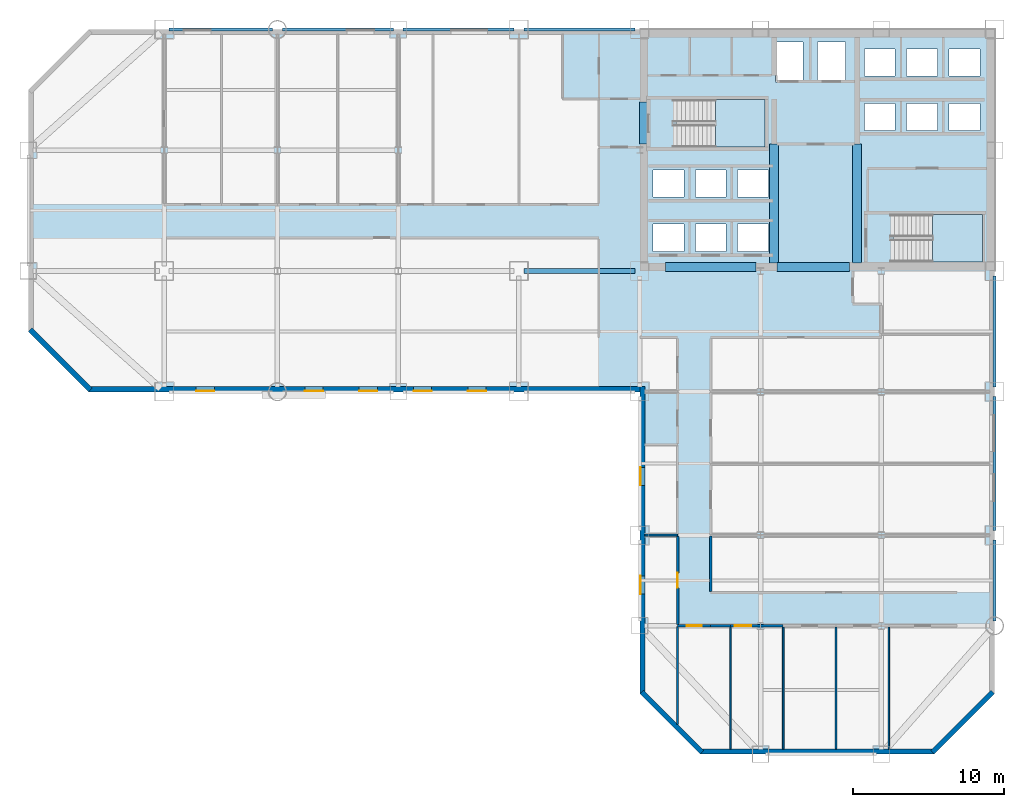
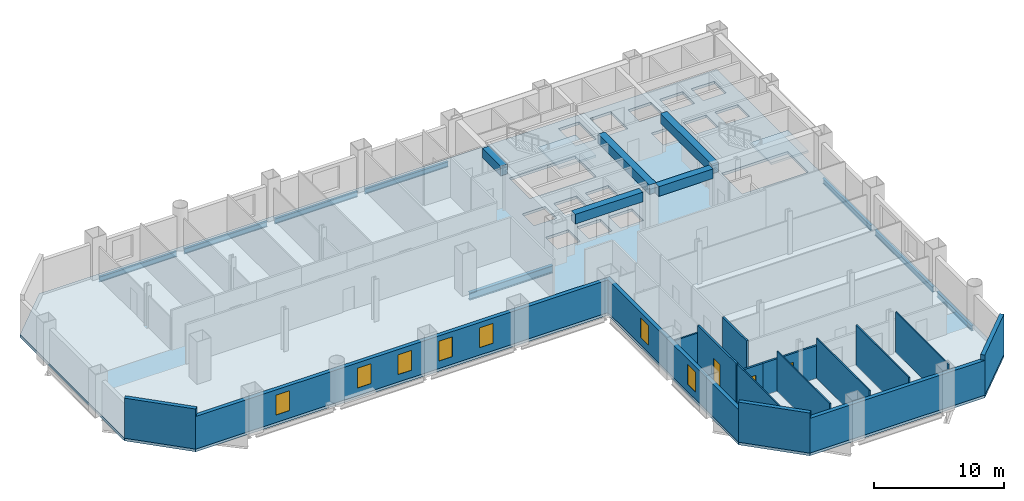
# One storey, part 4 of 9: 17 walls, 13 beams, 7 windows, 3 doors, 3 slabs, 10 openings, 2 elements without a shape of their own.
"""IFC4 building model written with IfcOpenShell, lengths in metres."""

from ifc_helpers import new_model, si_unit, direction, frame, frame_2d, origin, origin_2d, place, context, subcontext, project, spatial, polyline, rectangle, i_section, outline, extrude, material, layer, layer_set, material_profile, profile_set, type_object, element, fill, aggregate, save


model = new_model("IFC4")

# Units and contexts
model_context = context("Model", 3, precision=1e-05, world=origin(), true_north=direction((0.0, 1.0)))
body_context = subcontext(model_context, "Body", "Model", "MODEL_VIEW")
ifc_project = project(units=[si_unit("LENGTHUNIT", "METRE"), si_unit("AREAUNIT", "SQUARE_METRE"), si_unit("VOLUMEUNIT", "CUBIC_METRE"), si_unit("PLANEANGLEUNIT", "RADIAN"), si_unit("MASSUNIT", "GRAM", prefix="KILO")], contexts=[model_context])

# Site, building, storey
site_placement = place(None, origin())
site = spatial("IfcSite", under=ifc_project, at=site_placement, CompositionType="ELEMENT")
building_placement = place(site_placement, origin())
building = spatial("IfcBuilding", under=site, at=building_placement, Name="Qianrong Seaharbour Tower", CompositionType="ELEMENT")
storey_placement = place(building_placement, frame((0.0, 0.0, 40.199951171875)))
storey = spatial("IfcBuildingStorey", under=building, at=storey_placement, Name="L09", CompositionType="ELEMENT", Elevation=40.199951171875)

# Beams
ifc_material_1 = material(Name="Structural steel SN490B", Category="steel")
ifc_material_profile_1 = material_profile(ifc_material_1, i_section(OverallWidth=0.300048828125, OverallDepth=0.699951171875, WebThickness=0.012939453125, FlangeThickness=0.02392578125, FilletRadius=0.02587890625, at=origin_2d()), Name="H700x300x13x24")
ifc_profile_set_1 = profile_set([ifc_material_profile_1], Name="Structural steel SN490B")
beam_type_1 = type_object("IfcBeamType", Name="BM-G-700", PredefinedType="BEAM", material=ifc_profile_set_1)
beam_1_placement = place(storey_placement, frame((32.820068359375, 36.0, -0.599853515625), z_axis=(1.0, 0.0, 0.0), x_axis=(0.0, 1.0, 0.0)))
element("IfcBeam", 1, at=beam_1_placement, inside=storey, type_object=beam_type_1, Name="L09 Primary Girder GF G5-G6", PredefinedType="BEAM", context=body_context, shape_type="SweptSolid", body=[
    extrude(i_section(OverallWidth=0.300048828125, OverallDepth=0.699951171875, WebThickness=0.012939453125, FlangeThickness=0.02392578125, FilletRadius=0.02587890625, at=origin_2d()), origin(), (0.0, 0.0, 1.0), 7.35986328125),
])
ifc_material_2 = material(Name="Concrete C70/85", Category="concrete")
ifc_material_profile_2 = material_profile(ifc_material_2, rectangle(XDim=0.60009765625, YDim=0.89990234375, at=origin_2d()), Name="RC600x900")
ifc_profile_set_2 = profile_set([ifc_material_profile_2], Name="Concrete C70/85")
beam_type_2 = type_object("IfcBeamType", Name="BM-LINTEL-900", PredefinedType="LINTEL", material=ifc_profile_set_2)
beam_2_placement = place(storey_placement, frame((40.77001953125, 44.39990234375, 3.300048828125), z_axis=(0.0, 1.0, 0.0), x_axis=(-1.0, 0.0, 0.0)))
element("IfcBeam", 2, at=beam_2_placement, inside=storey, type_object=beam_type_2, Name="L09 Core Coupling Lintel Beam West", PredefinedType="LINTEL", context=body_context, shape_type="SweptSolid", body=[
    extrude(rectangle(XDim=0.60009765625, YDim=0.89990234375, at=origin_2d()), origin(), (0.0, 0.0, 1.0), 2.800048828125),
])
beam_3_placement = place(storey_placement, frame((42.199951171875, 36.27001953125, 3.300048828125), z_axis=(1.0, 0.0, 0.0), x_axis=(0.0, 1.0, 0.0)))
element("IfcBeam", 3, at=beam_3_placement, inside=storey, type_object=beam_type_2, Name="L09 Core Coupling Lintel Beam CBW", PredefinedType="LINTEL", context=body_context, shape_type="SweptSolid", body=[
    extrude(rectangle(XDim=0.60009765625, YDim=0.89990234375, at=origin_2d()), origin(), (0.0, 0.0, 1.0), 6.0),
])
beam_4_placement = place(storey_placement, frame((49.60009765625, 36.27001953125, 3.300048828125), z_axis=(1.0, 0.0, 0.0), x_axis=(0.0, 1.0, 0.0)))
element("IfcBeam", 4, at=beam_4_placement, inside=storey, type_object=beam_type_2, Name="L09 Core Coupling Lintel Beam CBC", PredefinedType="LINTEL", context=body_context, shape_type="SweptSolid", body=[
    extrude(rectangle(XDim=0.60009765625, YDim=0.89990234375, at=origin_2d()), origin(), (0.0, 0.0, 1.0), 4.7998046875),
])
for number, where, z_axis, x_axis, name in (
    (5, (49.39990234375, 36.5400390625, 3.300048828125), (0.0, 1.0, 0.0), (-1.0, 0.0, 0.0), "L09 Internal Core Coupling Beam IW1"),
    (6, (54.89990234375, 36.5400390625, 3.300048828125), (0.0, 1.0, 0.0), (-1.0, 0.0, 0.0), "L09 Internal Core Coupling Beam IW2"),
):
    element("IfcBeam", number, at=place(storey_placement, frame(where, z_axis=z_axis, x_axis=x_axis)), inside=storey, type_object=beam_type_2, Name=name, PredefinedType="LINTEL", context=body_context, shape_type="SweptSolid", body=[
        extrude(rectangle(XDim=0.60009765625, YDim=0.89990234375, at=origin_2d()), origin(), (0.0, 0.0, 1.0), 7.85986328125),
    ])
ifc_material_profile_3 = material_profile(ifc_material_1, i_section(OverallWidth=0.199951171875, OverallDepth=0.5, WebThickness=0.010009765625, FlangeThickness=0.01611328125, FilletRadius=0.02001953125, at=origin_2d()), Name="H500x200x10x16")
ifc_profile_set_3 = profile_set([ifc_material_profile_3], Name="Structural steel SN490B")
beam_type_3 = type_object("IfcBeamType", Name="BM-SP-500", PredefinedType="SPANDREL", material=ifc_profile_set_3)
beam_5_placement = place(storey_placement, frame((9.320068359375, 52.0, -0.5), z_axis=(1.0, 0.0, 0.0), x_axis=(0.0, 1.0, 0.0)))
element("IfcBeam", 7, at=beam_5_placement, inside=storey, type_object=beam_type_3, Name="L09 Spandrel Girder GH G2-G3", PredefinedType="SPANDREL", context=body_context, shape_type="SweptSolid", body=[
    extrude(i_section(OverallWidth=0.199951171875, OverallDepth=0.5, WebThickness=0.010009765625, FlangeThickness=0.01611328125, FilletRadius=0.02001953125, at=origin_2d()), origin(), (0.0, 0.0, 1.0), 6.85986328125),
])
for number, where, z_axis, x_axis, name in (
    (8, (16.820068359375, 52.0, -0.5), (1.0, 0.0, 0.0), (0.0, 1.0, 0.0), "L09 Spandrel Girder GH G3-G4"),
    (9, (24.820068359375, 52.0, -0.5), (1.0, 0.0, 0.0), (0.0, 1.0, 0.0), "L09 Spandrel Girder GH G4-G5"),
    (10, (32.820068359375, 52.0, -0.5), (1.0, 0.0, 0.0), (0.0, 1.0, 0.0), "L09 Spandrel Girder GH G5-G6"),
):
    element("IfcBeam", number, at=place(storey_placement, frame(where, z_axis=z_axis, x_axis=x_axis)), inside=storey, type_object=beam_type_3, Name=name, PredefinedType="SPANDREL", context=body_context, shape_type="SweptSolid", body=[
        extrude(i_section(OverallWidth=0.199951171875, OverallDepth=0.5, WebThickness=0.010009765625, FlangeThickness=0.01611328125, FilletRadius=0.02001953125, at=origin_2d()), origin(), (0.0, 0.0, 1.0), 7.35986328125),
    ])
beam_6_placement = place(storey_placement, frame((64.0, 12.820068359375, -0.5), z_axis=(0.0, 1.0, 0.0), x_axis=(-1.0, 0.0, 0.0)))
element("IfcBeam", 11, at=beam_6_placement, inside=storey, type_object=beam_type_3, Name="L09 Spandrel Girder G9 GC-GD", PredefinedType="SPANDREL", context=body_context, shape_type="SweptSolid", body=[
    extrude(i_section(OverallWidth=0.199951171875, OverallDepth=0.5, WebThickness=0.010009765625, FlangeThickness=0.01611328125, FilletRadius=0.02001953125, at=origin_2d()), origin(), (0.0, 0.0, 1.0), 5.35986328125),
])
beam_7_placement = place(storey_placement, frame((64.0, 18.820068359375, -0.5), z_axis=(0.0, 1.0, 0.0), x_axis=(-1.0, 0.0, 0.0)))
element("IfcBeam", 12, at=beam_7_placement, inside=storey, type_object=beam_type_3, Name="L09 Spandrel Girder G9 GD-GE", PredefinedType="SPANDREL", context=body_context, shape_type="SweptSolid", body=[
    extrude(i_section(OverallWidth=0.199951171875, OverallDepth=0.5, WebThickness=0.010009765625, FlangeThickness=0.01611328125, FilletRadius=0.02001953125, at=origin_2d()), origin(), (0.0, 0.0, 1.0), 8.85986328125),
])
beam_8_placement = place(storey_placement, frame((64.0, 28.320068359375, -0.5), z_axis=(0.0, 1.0, 0.0), x_axis=(-1.0, 0.0, 0.0)))
element("IfcBeam", 13, at=beam_8_placement, inside=storey, type_object=beam_type_3, Name="L09 Spandrel Girder G9 GE-GF", PredefinedType="SPANDREL", context=body_context, shape_type="SweptSolid", body=[
    extrude(i_section(OverallWidth=0.199951171875, OverallDepth=0.5, WebThickness=0.010009765625, FlangeThickness=0.01611328125, FilletRadius=0.02001953125, at=origin_2d()), origin(), (0.0, 0.0, 1.0), 7.35986328125),
])

# Stair, slab
ifc_material_3 = material(Name="Concrete C50/60", Category="concrete")
stair_type = type_object("IfcStairType", Name="STAIR-DOGLEG-1500-R22", PredefinedType="HALF_TURN_STAIR", material=ifc_material_3)
stair_1_placement = place(storey_placement, origin())
stair_1 = element("IfcStair", 14, at=stair_1_placement, inside=storey, type_object=stair_type, Name="L09 Protected Escape Stair ST-1", PredefinedType="HALF_TURN_STAIR")
ifc_layer_1 = layer(ifc_material_3, 0.199951171875)
ifc_layer_set_1 = layer_set([ifc_layer_1], Name="Concrete C50/60")
slab_type_1 = type_object("IfcSlabType", Name="SLAB-STAIR-LANDING-200", PredefinedType="LANDING", material=ifc_layer_set_1)
slab_1_placement = place(storey_placement, frame((0.0, 0.0, 1.800048828125)))
slab_1 = element("IfcSlab", 15, at=slab_1_placement, type_object=slab_type_1, Name="ST-1 landing 1", PredefinedType="LANDING", context=body_context, shape_type="SweptSolid", body=[
    extrude(outline(polyline([(45.5, 44.199951171875), (48.800048828125, 44.199951171875), (48.800048828125, 47.35009765625), (45.5, 47.35009765625), (45.5, 44.199951171875)])), origin(), (0.0, 0.0, 1.0), 0.199951171875),
])
aggregate(stair_1, [slab_1])

stair_2_placement = place(storey_placement, origin())
stair_2 = element("IfcStair", 16, at=stair_2_placement, inside=storey, type_object=stair_type, Name="L09 Protected Escape Stair ST-2", PredefinedType="HALF_TURN_STAIR")
slab_2_placement = place(storey_placement, frame((0.0, 0.0, 1.800048828125)))
slab_2 = element("IfcSlab", 17, at=slab_2_placement, type_object=slab_type_1, Name="ST-2 landing 1", PredefinedType="LANDING", context=body_context, shape_type="SweptSolid", body=[
    extrude(outline(polyline([(59.89990234375, 36.60009765625), (63.199951171875, 36.60009765625), (63.199951171875, 39.75), (59.89990234375, 39.75), (59.89990234375, 36.60009765625)])), origin(), (0.0, 0.0, 1.0), 0.199951171875),
])
aggregate(stair_2, [slab_2])

# Slab
ifc_layer_2 = layer(ifc_material_3, 0.25)
ifc_layer_set_2 = layer_set([ifc_layer_2], Name="Concrete C50/60")
slab_type_2 = type_object("IfcSlabType", Name="SLAB-Z1-250", PredefinedType="FLOOR", material=ifc_layer_set_2)
slab_3_placement = place(storey_placement, frame((0.0, 0.0, -0.25)))
element("IfcSlab", 18, at=slab_3_placement, inside=storey, type_object=slab_type_2, Name="L09 Structural Floor Slab", PredefinedType="FLOOR", context=body_context, shape_type="SweptSolid", body=[
    extrude(outline(polyline([(44.5, 4.0), (60.0, 4.0), (64.0, 8.0), (64.0, 52.0), (4.0, 52.0), (0.0, 48.0), (0.0, 32.0), (4.0, 28.0), (40.5, 28.0), (40.5, 8.0), (44.5, 4.0)]), holes=[polyline([(42.93994140625, 44.199951171875), (42.93994140625, 47.35009765625), (48.800048828125, 47.35009765625), (48.800048828125, 44.199951171875), (42.93994140625, 44.199951171875)]), polyline([(57.340087890625, 36.60009765625), (57.340087890625, 39.75), (63.199951171875, 39.75), (63.199951171875, 36.60009765625), (57.340087890625, 36.60009765625)]), polyline([(49.47998046875, 48.530029296875), (49.47998046875, 51.169921875), (51.320068359375, 51.169921875), (51.320068359375, 48.530029296875), (49.47998046875, 48.530029296875)]), polyline([(52.280029296875, 48.530029296875), (52.280029296875, 51.169921875), (54.1201171875, 51.169921875), (54.1201171875, 48.530029296875), (52.280029296875, 48.530029296875)]), polyline([(41.3798828125, 37.300048828125), (41.3798828125, 39.10009765625), (43.419921875, 39.10009765625), (43.419921875, 37.300048828125), (41.3798828125, 37.300048828125)]), polyline([(44.179931640625, 37.300048828125), (44.179931640625, 39.10009765625), (46.219970703125, 39.10009765625), (46.219970703125, 37.300048828125), (44.179931640625, 37.300048828125)]), polyline([(46.97998046875, 37.300048828125), (46.97998046875, 39.10009765625), (49.02001953125, 39.10009765625), (49.02001953125, 37.300048828125), (46.97998046875, 37.300048828125)]), polyline([(41.3798828125, 40.89990234375), (41.3798828125, 42.699951171875), (43.419921875, 42.699951171875), (43.419921875, 40.89990234375), (41.3798828125, 40.89990234375)]), polyline([(44.179931640625, 40.89990234375), (44.179931640625, 42.699951171875), (46.219970703125, 42.699951171875), (46.219970703125, 40.89990234375), (44.179931640625, 40.89990234375)]), polyline([(46.97998046875, 40.89990234375), (46.97998046875, 42.699951171875), (49.02001953125, 42.699951171875), (49.02001953125, 40.89990234375), (46.97998046875, 40.89990234375)]), polyline([(55.3798828125, 45.300048828125), (55.3798828125, 47.10009765625), (57.419921875, 47.10009765625), (57.419921875, 45.300048828125), (55.3798828125, 45.300048828125)]), polyline([(58.179931640625, 45.300048828125), (58.179931640625, 47.10009765625), (60.219970703125, 47.10009765625), (60.219970703125, 45.300048828125), (58.179931640625, 45.300048828125)]), polyline([(60.97998046875, 45.300048828125), (60.97998046875, 47.10009765625), (63.02001953125, 47.10009765625), (63.02001953125, 45.300048828125), (60.97998046875, 45.300048828125)]), polyline([(55.3798828125, 48.89990234375), (55.3798828125, 50.699951171875), (57.419921875, 50.699951171875), (57.419921875, 48.89990234375), (55.3798828125, 48.89990234375)]), polyline([(58.179931640625, 48.89990234375), (58.179931640625, 50.699951171875), (60.219970703125, 50.699951171875), (60.219970703125, 48.89990234375), (58.179931640625, 48.89990234375)]), polyline([(60.97998046875, 48.89990234375), (60.97998046875, 50.699951171875), (63.02001953125, 50.699951171875), (63.02001953125, 48.89990234375), (60.97998046875, 48.89990234375)])]), origin(), (0.0, 0.0, 1.0), 0.25),
])

# Wall
ifc_material_4 = material(Name="Fire-rated acoustic gypsum board partition")
ifc_layer_3 = layer(ifc_material_4, 0.1650390625)
ifc_layer_set_3 = layer_set([ifc_layer_3], Name="Fire-rated acoustic gypsum board partition")
wall_type_1 = type_object("IfcWallType", Name="WALL-CORR-PART-165", PredefinedType="PARTITIONING", material=ifc_layer_set_3)
wall_1_placement = place(storey_placement, frame((45.199951171875, 18.452880859375, 0.0), z_axis=(0.0, 0.0, 1.0), x_axis=(0.0, -1.0, 0.0)))
element("IfcWall", 19, at=wall_1_placement, inside=storey, type_object=wall_type_1, Name="L09 Interior Partition Wall 030", PredefinedType="PARTITIONING", context=body_context, shape_type="SweptSolid", body=[
    extrude(rectangle(XDim=3.678466796875, YDim=0.1650390625, at=frame_2d((1.83935546875, 0.0))), origin(), (0.0, 0.0, 1.0), 3.75),
])

# Wall, opening, door
wall_2_placement = place(storey_placement, frame((43.0, 12.574462890625, 0.0), z_axis=(0.0, 0.0, 1.0), x_axis=(0.0, 1.0, 0.0)))
wall_2 = element("IfcWall", 20, at=wall_2_placement, inside=storey, type_object=wall_type_1, Name="L09 Interior Partition Wall 034", PredefinedType="PARTITIONING", context=body_context, shape_type="SweptSolid", body=[
    extrude(rectangle(XDim=5.86865234375, YDim=0.1650390625, at=frame_2d((2.934326171875, 0.0))), origin(), (0.0, 0.0, 1.0), 3.75),
])
opening_1_placement = place(wall_2_placement, frame((2.434326171875, 0.0, 0.0)))
opening_1 = element("IfcOpeningElement", 21, at=opening_1_placement, cuts=wall_2, Name="Opening DO-01", PredefinedType="OPENING", context=body_context, shape_type="SweptSolid", body=[
    extrude(rectangle(XDim=1.0, YDim=2.14990234375, at=frame_2d((0.5, 1.074951171875))), frame((0.0, 0.092529296875, 0.0), z_axis=(0.0, -1.0, 0.0), x_axis=(1.0, 0.0, 0.0)), (0.0, 0.0, 1.0), 0.18505859375),
])
ifc_material_5 = material(Name="Acoustic timber and galvanized steel fire door assembly", Category="steel")
door_type_1 = type_object("IfcDoorType", Name="DOOR-OFFICE-1000x2150", OperationType="NOTDEFINED", PredefinedType="DOOR", material=ifc_material_5)
door_1_placement = place(opening_1_placement, origin())
door_1 = element("IfcDoor", 22, at=door_1_placement, inside=storey, type_object=door_type_1, Name="L09 Executive Office 1 Door", OperationType="SINGLE_SWING_LEFT", OverallHeight=2.14990234375, OverallWidth=1.0, PredefinedType="DOOR", context=body_context, shape_type="SweptSolid", body=[
    extrude(rectangle(XDim=1.0, YDim=2.14990234375, at=frame_2d((0.5, 1.074951171875))), frame((0.0, 0.02490234375, 0.0), z_axis=(0.0, -1.0, 0.0), x_axis=(1.0, 0.0, 0.0)), (0.0, 0.0, 1.0), 0.050048828125),
])
fill(opening_1, door_1)

wall_3_placement = place(storey_placement, frame((45.199951171875, 12.5, 0.0), z_axis=(0.0, 0.0, 1.0), x_axis=(-1.0, 0.0, 0.0)))
wall_3 = element("IfcWall", 23, at=wall_3_placement, inside=storey, type_object=wall_type_1, Name="L09 Interior Partition Wall 038", PredefinedType="PARTITIONING", context=body_context, shape_type="SweptSolid", body=[
    extrude(rectangle(XDim=2.199951171875, YDim=0.1650390625, at=frame_2d((1.10009765625, 0.0))), origin(), (0.0, 0.0, 1.0), 3.0419921875),
])
opening_2_placement = place(wall_3_placement, frame((0.60009765625, 0.0, 0.0)))
opening_2 = element("IfcOpeningElement", 24, at=opening_2_placement, cuts=wall_3, Name="Opening DO-01", PredefinedType="OPENING", context=body_context, shape_type="SweptSolid", body=[
    extrude(rectangle(XDim=1.0, YDim=2.14990234375, at=frame_2d((0.5, 1.074951171875))), frame((0.0, 0.092529296875, 0.0), z_axis=(0.0, -1.0, 0.0), x_axis=(1.0, 0.0, 0.0)), (0.0, 0.0, 1.0), 0.18505859375),
])
door_2_placement = place(opening_2_placement, origin())
door_2 = element("IfcDoor", 25, at=door_2_placement, inside=storey, type_object=door_type_1, Name="L09 Executive Office 1 Door", OperationType="SINGLE_SWING_LEFT", OverallHeight=2.14990234375, OverallWidth=1.0, PredefinedType="DOOR", context=body_context, shape_type="SweptSolid", body=[
    extrude(rectangle(XDim=1.0, YDim=2.14990234375, at=frame_2d((0.5, 1.074951171875))), frame((0.0, 0.02490234375, 0.0), z_axis=(0.0, -1.0, 0.0), x_axis=(1.0, 0.0, 0.0)), (0.0, 0.0, 1.0), 0.050048828125),
])
fill(opening_2, door_2)

# Wall
wall_4_placement = place(storey_placement, frame((46.5, 12.5, 0.0), z_axis=(0.0, 0.0, 1.0), x_axis=(-1.0, 0.0, 0.0)))
element("IfcWall", 26, at=wall_4_placement, inside=storey, type_object=wall_type_1, Name="L09 Interior Partition Wall 040", PredefinedType="PARTITIONING", context=body_context, shape_type="SweptSolid", body=[
    extrude(rectangle(XDim=1.300048828125, YDim=0.1650390625, at=frame_2d((0.64990234375, 0.0))), origin(), (0.0, 0.0, 1.0), 3.0419921875),
])

# Wall, opening, door
wall_5_placement = place(storey_placement, frame((50.0, 12.5, 0.0), z_axis=(0.0, 0.0, 1.0), x_axis=(-1.0, 0.0, 0.0)))
wall_5 = element("IfcWall", 27, at=wall_5_placement, inside=storey, type_object=wall_type_1, Name="L09 Interior Partition Wall 041", PredefinedType="PARTITIONING", context=body_context, shape_type="SweptSolid", body=[
    extrude(rectangle(XDim=3.5, YDim=0.1650390625, at=frame_2d((1.75, 0.0))), origin(), (0.0, 0.0, 1.0), 3.0419921875),
])
opening_3_placement = place(wall_5_placement, frame((2.10009765625, 0.0, 0.0)))
opening_3 = element("IfcOpeningElement", 28, at=opening_3_placement, cuts=wall_5, Name="Opening DM-01", PredefinedType="OPENING", context=body_context, shape_type="SweptSolid", body=[
    extrude(rectangle(XDim=1.10009765625, YDim=2.199951171875, at=frame_2d((0.550048828125, 1.10009765625))), frame((0.0, 0.092529296875, 0.0), z_axis=(0.0, -1.0, 0.0), x_axis=(1.0, 0.0, 0.0)), (0.0, 0.0, 1.0), 0.18505859375),
])
door_type_2 = type_object("IfcDoorType", Name="DOOR-MEET-1100x2200", OperationType="NOTDEFINED", PredefinedType="DOOR", material=ifc_material_5)
door_3_placement = place(opening_3_placement, origin())
door_3 = element("IfcDoor", 29, at=door_3_placement, inside=storey, type_object=door_type_2, Name="L09 Meeting Room 2 Door", OperationType="SINGLE_SWING_RIGHT", OverallHeight=2.199951171875, OverallWidth=1.10009765625, PredefinedType="DOOR", context=body_context, shape_type="SweptSolid", body=[
    extrude(rectangle(XDim=1.10009765625, YDim=2.199951171875, at=frame_2d((0.550048828125, 1.10009765625))), frame((0.0, 0.02490234375, 0.0), z_axis=(0.0, -1.0, 0.0), x_axis=(1.0, 0.0, 0.0)), (0.0, 0.0, 1.0), 0.050048828125),
])
fill(opening_3, door_3)

# Walls
ifc_material_6 = material(Name="Demountable aluminium-framed acoustic office partition", Category="aluminium")
ifc_layer_4 = layer(ifc_material_6, 0.110107421875)
ifc_layer_set_4 = layer_set([ifc_layer_4], Name="Demountable aluminium-framed acoustic office partition")
wall_type_2 = type_object("IfcWallType", Name="WALL-DEMOUNT-110", PredefinedType="MOVABLE", material=ifc_layer_set_4)
wall_6_placement = place(storey_placement, frame((43.0, 12.425537109375, 0.0), z_axis=(0.0, 0.0, 1.0), x_axis=(0.0, -1.0, 0.0)))
element("IfcWall", 30, at=wall_6_placement, inside=storey, type_object=wall_type_2, Name="L09 Interior Partition Wall 057", PredefinedType="MOVABLE", context=body_context, shape_type="SweptSolid", body=[
    extrude(rectangle(XDim=6.4560546875, YDim=0.110107421875, at=frame_2d((3.22802734375, 0.0))), origin(), (0.0, 0.0, 1.0), 3.75),
])
for number, where, z_axis, x_axis, name in (
    (31, (46.5, 12.425537109375, 0.0), (0.0, 0.0, 1.0), (0.0, -1.0, 0.0), "L09 Interior Partition Wall 060"),
    (32, (50.0, 12.425537109375, 0.0), (0.0, 0.0, 1.0), (0.0, -1.0, 0.0), "L09 Interior Partition Wall 061"),
    (33, (53.5, 12.425537109375, 0.0), (0.0, 0.0, 1.0), (0.0, -1.0, 0.0), "L09 Interior Partition Wall 062"),
    (34, (57.0, 12.425537109375, 0.0), (0.0, 0.0, 1.0), (0.0, -1.0, 0.0), "L09 Interior Partition Wall 063"),
):
    element("IfcWall", number, at=place(storey_placement, frame(where, z_axis=z_axis, x_axis=x_axis)), inside=storey, type_object=wall_type_2, Name=name, PredefinedType="MOVABLE", context=body_context, shape_type="SweptSolid", body=[
        extrude(rectangle(XDim=8.093505859375, YDim=0.110107421875, at=frame_2d((4.046875, 0.0))), origin(), (0.0, 0.0, 1.0), 3.75),
    ])

# Wall, openings, windows
ifc_material_7 = material(Name="Unitised buff brick on Precast concrete C45/55", Category="masonry")
ifc_layer_5 = layer(ifc_material_7, 0.340087890625)
ifc_layer_set_5 = layer_set([ifc_layer_5], Name="Unitised buff brick on Precast concrete C45/55")
wall_type_3 = type_object("IfcWallType", Name="WALL-EXT-BRICK-BUFF-340", PredefinedType="SOLIDWALL", material=ifc_layer_set_5)
wall_7_placement = place(storey_placement, frame((40.669921875, 8.0, 0.0), z_axis=(0.0, 0.0, 1.0), x_axis=(0.0, 1.0, 0.0)))
wall_7 = element("IfcWall", 35, at=wall_7_placement, inside=storey, type_object=wall_type_3, Name="L09 Exterior Masonry Facade Wall REENTRANT_WEST", PredefinedType="SOLIDWALL", context=body_context, shape_type="SweptSolid", body=[
    extrude(rectangle(XDim=20.340087890625, YDim=0.340087890625, at=frame_2d((10.169921875, 0.0))), origin(), (0.0, 0.0, 1.0), 3.050048828125),
])
opening_4_placement = place(wall_7_placement, frame((6.60009765625, 0.0, 0.699951171875)))
opening_4 = element("IfcOpeningElement", 36, at=opening_4_placement, cuts=wall_7, Name="Opening WN-01", PredefinedType="OPENING", context=body_context, shape_type="SweptSolid", body=[
    extrude(rectangle(XDim=1.199951171875, YDim=1.85009765625, at=frame_2d((0.60009765625, 0.925048828125))), frame((0.0, 0.18017578125, 0.0), z_axis=(0.0, -1.0, 0.0), x_axis=(1.0, 0.0, 0.0)), (0.0, 0.0, 1.0), 0.360107421875),
])
opening_5_placement = place(wall_7_placement, frame((13.800048828125, 0.0, 0.699951171875)))
opening_5 = element("IfcOpeningElement", 37, at=opening_5_placement, cuts=wall_7, Name="Opening WN-01", PredefinedType="OPENING", context=body_context, shape_type="SweptSolid", body=[
    extrude(rectangle(XDim=1.199951171875, YDim=1.85009765625, at=frame_2d((0.60009765625, 0.925048828125))), frame((0.0, 0.18017578125, 0.0), z_axis=(0.0, -1.0, 0.0), x_axis=(1.0, 0.0, 0.0)), (0.0, 0.0, 1.0), 0.360107421875),
])
ifc_material_8 = material(Name="Insulated low-e double glazing in thermally broken aluminium 6063-T6 frame", Category="aluminium")
window_type = type_object("IfcWindowType", Name="WIN-PUNCH-1200x1850", PartitioningType="DOUBLE_PANEL_VERTICAL", PredefinedType="WINDOW", material=ifc_material_8)
window_1_placement = place(opening_4_placement, origin())
window_1 = element("IfcWindow", 38, at=window_1_placement, inside=storey, type_object=window_type, Name="L09 Deep-Set Punched Window 00.02", OverallHeight=1.85009765625, OverallWidth=1.199951171875, PartitioningType="DOUBLE_PANEL_VERTICAL", PredefinedType="WINDOW", context=body_context, shape_type="SweptSolid", body=[
    extrude(rectangle(XDim=1.199951171875, YDim=1.85009765625, at=frame_2d((0.60009765625, 0.925048828125))), frame((0.0, 0.150146484375, 0.0), z_axis=(0.0, -1.0, 0.0), x_axis=(1.0, 0.0, 0.0)), (0.0, 0.0, 1.0), 0.06005859375),
])
fill(opening_4, window_1)
window_2_placement = place(opening_5_placement, origin())
window_2 = element("IfcWindow", 39, at=window_2_placement, inside=storey, type_object=window_type, Name="L09 Deep-Set Punched Window 00.04", OverallHeight=1.85009765625, OverallWidth=1.199951171875, PartitioningType="DOUBLE_PANEL_VERTICAL", PredefinedType="WINDOW", context=body_context, shape_type="SweptSolid", body=[
    extrude(rectangle(XDim=1.199951171875, YDim=1.85009765625, at=frame_2d((0.60009765625, 0.925048828125))), frame((0.0, 0.150146484375, 0.0), z_axis=(0.0, -1.0, 0.0), x_axis=(1.0, 0.0, 0.0)), (0.0, 0.0, 1.0), 0.06005859375),
])
fill(opening_5, window_2)

wall_8_placement = place(storey_placement, frame((40.52001953125, 28.169921875, 0.0), z_axis=(0.0, 0.0, 1.0), x_axis=(-1.0, 0.0, 0.0)))
wall_8 = element("IfcWall", 40, at=wall_8_placement, inside=storey, type_object=wall_type_3, Name="L09 Exterior Masonry Facade Wall HARBOUR_RIBBON", PredefinedType="SOLIDWALL", context=body_context, shape_type="SweptSolid", body=[
    extrude(rectangle(XDim=36.52001953125, YDim=0.340087890625, at=frame_2d((18.260009765625, 0.0))), origin(), (0.0, 0.0, 1.0), 3.050048828125),
])
opening_6_placement = place(wall_8_placement, frame((10.199951171875, 0.0, 0.699951171875)))
opening_6 = element("IfcOpeningElement", 41, at=opening_6_placement, cuts=wall_8, Name="Opening WN-01", PredefinedType="OPENING", context=body_context, shape_type="SweptSolid", body=[
    extrude(rectangle(XDim=1.199951171875, YDim=1.85009765625, at=frame_2d((0.60009765625, 0.925048828125))), frame((0.0, 0.18017578125, 0.0), z_axis=(0.0, -1.0, 0.0), x_axis=(1.0, 0.0, 0.0)), (0.0, 0.0, 1.0), 0.360107421875),
])
opening_7_placement = place(wall_8_placement, frame((13.800048828125, 0.0, 0.699951171875)))
opening_7 = element("IfcOpeningElement", 42, at=opening_7_placement, cuts=wall_8, Name="Opening WN-01", PredefinedType="OPENING", context=body_context, shape_type="SweptSolid", body=[
    extrude(rectangle(XDim=1.199951171875, YDim=1.85009765625, at=frame_2d((0.60009765625, 0.925048828125))), frame((0.0, 0.18017578125, 0.0), z_axis=(0.0, -1.0, 0.0), x_axis=(1.0, 0.0, 0.0)), (0.0, 0.0, 1.0), 0.360107421875),
])
opening_8_placement = place(wall_8_placement, frame((17.39990234375, 0.0, 0.699951171875)))
opening_8 = element("IfcOpeningElement", 43, at=opening_8_placement, cuts=wall_8, Name="Opening WN-01", PredefinedType="OPENING", context=body_context, shape_type="SweptSolid", body=[
    extrude(rectangle(XDim=1.199951171875, YDim=1.85009765625, at=frame_2d((0.60009765625, 0.925048828125))), frame((0.0, 0.18017578125, 0.0), z_axis=(0.0, -1.0, 0.0), x_axis=(1.0, 0.0, 0.0)), (0.0, 0.0, 1.0), 0.360107421875),
])
opening_9_placement = place(wall_8_placement, frame((21.0, 0.0, 0.699951171875)))
opening_9 = element("IfcOpeningElement", 44, at=opening_9_placement, cuts=wall_8, Name="Opening WN-01", PredefinedType="OPENING", context=body_context, shape_type="SweptSolid", body=[
    extrude(rectangle(XDim=1.199951171875, YDim=1.85009765625, at=frame_2d((0.60009765625, 0.925048828125))), frame((0.0, 0.18017578125, 0.0), z_axis=(0.0, -1.0, 0.0), x_axis=(1.0, 0.0, 0.0)), (0.0, 0.0, 1.0), 0.360107421875),
])
opening_10_placement = place(wall_8_placement, frame((28.199951171875, 0.0, 0.699951171875)))
opening_10 = element("IfcOpeningElement", 45, at=opening_10_placement, cuts=wall_8, Name="Opening WN-01", PredefinedType="OPENING", context=body_context, shape_type="SweptSolid", body=[
    extrude(rectangle(XDim=1.199951171875, YDim=1.85009765625, at=frame_2d((0.60009765625, 0.925048828125))), frame((0.0, 0.18017578125, 0.0), z_axis=(0.0, -1.0, 0.0), x_axis=(1.0, 0.0, 0.0)), (0.0, 0.0, 1.0), 0.360107421875),
])
window_3_placement = place(opening_6_placement, origin())
window_3 = element("IfcWindow", 46, at=window_3_placement, inside=storey, type_object=window_type, Name="L09 Deep-Set Punched Window 01.03", OverallHeight=1.85009765625, OverallWidth=1.199951171875, PartitioningType="DOUBLE_PANEL_VERTICAL", PredefinedType="WINDOW", context=body_context, shape_type="SweptSolid", body=[
    extrude(rectangle(XDim=1.199951171875, YDim=1.85009765625, at=frame_2d((0.60009765625, 0.925048828125))), frame((0.0, 0.150146484375, 0.0), z_axis=(0.0, -1.0, 0.0), x_axis=(1.0, 0.0, 0.0)), (0.0, 0.0, 1.0), 0.06005859375),
])
fill(opening_6, window_3)
window_4_placement = place(opening_7_placement, origin())
window_4 = element("IfcWindow", 47, at=window_4_placement, inside=storey, type_object=window_type, Name="L09 Deep-Set Punched Window 01.04", OverallHeight=1.85009765625, OverallWidth=1.199951171875, PartitioningType="DOUBLE_PANEL_VERTICAL", PredefinedType="WINDOW", context=body_context, shape_type="SweptSolid", body=[
    extrude(rectangle(XDim=1.199951171875, YDim=1.85009765625, at=frame_2d((0.60009765625, 0.925048828125))), frame((0.0, 0.150146484375, 0.0), z_axis=(0.0, -1.0, 0.0), x_axis=(1.0, 0.0, 0.0)), (0.0, 0.0, 1.0), 0.06005859375),
])
fill(opening_7, window_4)
window_5_placement = place(opening_8_placement, origin())
window_5 = element("IfcWindow", 48, at=window_5_placement, inside=storey, type_object=window_type, Name="L09 Deep-Set Punched Window 01.05", OverallHeight=1.85009765625, OverallWidth=1.199951171875, PartitioningType="DOUBLE_PANEL_VERTICAL", PredefinedType="WINDOW", context=body_context, shape_type="SweptSolid", body=[
    extrude(rectangle(XDim=1.199951171875, YDim=1.85009765625, at=frame_2d((0.60009765625, 0.925048828125))), frame((0.0, 0.150146484375, 0.0), z_axis=(0.0, -1.0, 0.0), x_axis=(1.0, 0.0, 0.0)), (0.0, 0.0, 1.0), 0.06005859375),
])
fill(opening_8, window_5)
window_6_placement = place(opening_9_placement, origin())
window_6 = element("IfcWindow", 49, at=window_6_placement, inside=storey, type_object=window_type, Name="L09 Deep-Set Punched Window 01.06", OverallHeight=1.85009765625, OverallWidth=1.199951171875, PartitioningType="DOUBLE_PANEL_VERTICAL", PredefinedType="WINDOW", context=body_context, shape_type="SweptSolid", body=[
    extrude(rectangle(XDim=1.199951171875, YDim=1.85009765625, at=frame_2d((0.60009765625, 0.925048828125))), frame((0.0, 0.150146484375, 0.0), z_axis=(0.0, -1.0, 0.0), x_axis=(1.0, 0.0, 0.0)), (0.0, 0.0, 1.0), 0.06005859375),
])
fill(opening_9, window_6)
window_7_placement = place(opening_10_placement, origin())
window_7 = element("IfcWindow", 50, at=window_7_placement, inside=storey, type_object=window_type, Name="L09 Deep-Set Punched Window 01.08", OverallHeight=1.85009765625, OverallWidth=1.199951171875, PartitioningType="DOUBLE_PANEL_VERTICAL", PredefinedType="WINDOW", context=body_context, shape_type="SweptSolid", body=[
    extrude(rectangle(XDim=1.199951171875, YDim=1.85009765625, at=frame_2d((0.60009765625, 0.925048828125))), frame((0.0, 0.150146484375, 0.0), z_axis=(0.0, -1.0, 0.0), x_axis=(1.0, 0.0, 0.0)), (0.0, 0.0, 1.0), 0.06005859375),
])
fill(opening_10, window_7)

# Walls
for number, where, z_axis, x_axis, name in (
    (51, (4.1201171875, 28.1201171875, 0.0), (0.0, 0.0, 1.0), (-0.707106781187, 0.707106781187, 0.0), "L09 Exterior Masonry Facade Wall E02"),
    (52, (63.8798828125, 8.1201171875, 0.0), (0.0, 0.0, 1.0), (-0.707106781187, -0.707106781187, 0.0), "L09 Exterior Masonry Facade Wall E07"),
):
    element("IfcWall", number, at=place(storey_placement, frame(where, z_axis=z_axis, x_axis=x_axis)), inside=storey, type_object=wall_type_3, Name=name, PredefinedType="SOLIDWALL", context=body_context, shape_type="SweptSolid", body=[
        extrude(rectangle(XDim=5.65673828125, YDim=0.340087890625, at=frame_2d((2.828369140625, 0.0))), origin(), (0.0, 0.0, 1.0), 3.75),
    ])
wall_9_placement = place(storey_placement, frame((60.0, 4.169921875, 0.0), z_axis=(0.0, 0.0, 1.0), x_axis=(-1.0, 0.0, 0.0)))
element("IfcWall", 53, at=wall_9_placement, inside=storey, type_object=wall_type_3, Name="L09 Exterior Masonry Facade Wall SOUTH_TIP", PredefinedType="SOLIDWALL", context=body_context, shape_type="SweptSolid", body=[
    extrude(rectangle(XDim=15.5, YDim=0.340087890625, at=frame_2d((7.75, 0.0))), origin(), (0.0, 0.0, 1.0), 3.25),
])
wall_10_placement = place(storey_placement, frame((44.6201171875, 4.1201171875, 0.0), z_axis=(0.0, 0.0, 1.0), x_axis=(-0.707106781187, 0.707106781187, 0.0)))
element("IfcWall", 54, at=wall_10_placement, inside=storey, type_object=wall_type_3, Name="L09 Exterior Masonry Facade Wall E09", PredefinedType="SOLIDWALL", context=body_context, shape_type="SweptSolid", body=[
    extrude(rectangle(XDim=5.65673828125, YDim=0.340087890625, at=frame_2d((2.828369140625, 0.0))), origin(), (0.0, 0.0, 1.0), 3.75),
])
ifc_material_9 = material(Name="Water-resistant cement board sanitary partition")
ifc_layer_6 = layer(ifc_material_9, 0.1298828125)
ifc_layer_set_6 = layer_set([ifc_layer_6], Name="Water-resistant cement board sanitary partition")
wall_type_4 = type_object("IfcWallType", Name="WALL-WET-PART-130", PredefinedType="PARTITIONING", material=ifc_layer_set_6)
wall_11_placement = place(storey_placement, frame((40.83203125, 18.5, 0.0), z_axis=(0.0, 0.0, 1.0), x_axis=(1.0, 0.0, 0.0)))
element("IfcWall", 55, at=wall_11_placement, inside=storey, type_object=wall_type_4, Name="L09 Interior Partition Wall 056", PredefinedType="PARTITIONING", context=body_context, shape_type="SweptSolid", body=[
    extrude(rectangle(XDim=2.16796875, YDim=0.1298828125, at=frame_2d((1.083984375, 0.0))), origin(), (0.0, 0.0, 1.0), 3.0419921875),
])

save(model, "model.ifc")
